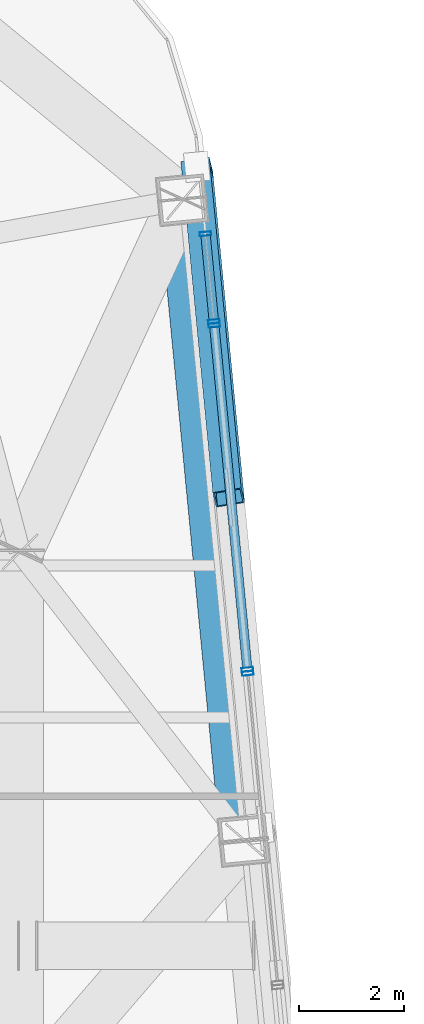
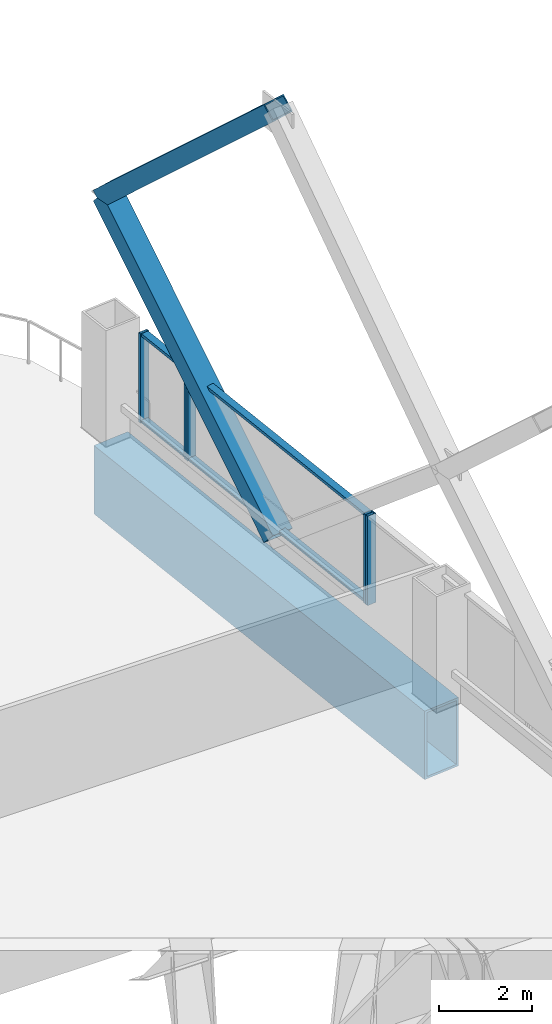
# One storey, part 30 of 42: 11 members, 1 beam, 3 elements without a shape of their own.
"""IFC4 building model written with IfcOpenShell, lengths in metres."""

import ifcopenshell
import ifcopenshell.guid

model = None  # the IFC model being written
_history = None  # IfcOwnerHistory: only IFC2X3 demands one
_inside = {}  # id of a spatial element -> (the spatial element, [elements in it])
_under = {}  # id of a project, library or spatial element -> (it, [spatial elements below it])
_declared = {}  # id of a project -> (the project, [libraries it declares])
_typed = {}  # id of a type object -> (the type object, [elements of that type])
_made_of = {}  # id of a material, layer set ... -> (it, [elements and type objects made of it])


def new_model(schema):
    """Start an empty IFC model of exactly this schema.

    Asked for "IFC4X3", IfcOpenShell would pick the latest addendum, in which some entities
    have other attributes; the version numbers below select the first issue.
    IFC2X3 requires an IfcOwnerHistory on every rooted entity: one is made here for all.
    """
    global model, _history
    if schema == "IFC4X3":
        model = ifcopenshell.file(schema_version=(4, 3, 0, 0))
    else:
        model = ifcopenshell.file(schema=schema)
    _inside.clear()
    _under.clear()
    _declared.clear()
    _typed.clear()
    _made_of.clear()
    _history = None
    if model.schema == "IFC2X3":
        org = make("IfcOrganization", Name="unknown")
        user = make(
            "IfcPersonAndOrganization",
            ThePerson=make("IfcPerson", FamilyName="unknown"),
            TheOrganization=org,
        )
        app = make(
            "IfcApplication",
            ApplicationDeveloper=org,
            Version="unknown",
            ApplicationFullName="unknown",
            ApplicationIdentifier="unknown",
        )
        _history = make(
            "IfcOwnerHistory",
            OwningUser=user,
            OwningApplication=app,
            ChangeAction="ADDED",
            CreationDate=0,
        )
    return model


def make(cls, **values):
    """One entity of the class cls with the attributes given. An attribute that is None is left unset."""
    return model.create_entity(
        cls, **{name: value for name, value in values.items() if value is not None}
    )


def rooted(cls, **values):
    """An entity with a GlobalId (a new one), such as an element, a storey or a relation."""
    return make(cls, GlobalId=ifcopenshell.guid.new(), OwnerHistory=_history, **values)


def si_unit(unit_type, name, prefix=None):
    """IfcSIUnit, for example si_unit("LENGTHUNIT", "METRE", prefix="MILLI")."""
    return make("IfcSIUnit", UnitType=unit_type, Prefix=prefix, Name=name)


def assignment(units):
    """IfcUnitAssignment: the units of a project."""
    return None if units is None else make("IfcUnitAssignment", Units=units)


def point(xyz):
    """IfcCartesianPoint."""
    return None if xyz is None else make("IfcCartesianPoint", Coordinates=xyz)


def direction(xyz):
    """IfcDirection."""
    return None if xyz is None else make("IfcDirection", DirectionRatios=xyz)


def frame(location, z_axis=None, x_axis=None):
    """IfcAxis2Placement3D, a coordinate frame: its origin and axes. An axis left out is left unset."""
    return make(
        "IfcAxis2Placement3D",
        Location=point(location),
        Axis=direction(z_axis),
        RefDirection=direction(x_axis),
    )


def frame_2d(location, x_axis=None):
    """IfcAxis2Placement2D, a coordinate frame in the plane: its origin and x axis."""
    return make(
        "IfcAxis2Placement2D", Location=point(location), RefDirection=direction(x_axis)
    )


def origin():
    """The frame at (0, 0, 0) with its axes left unset."""
    return frame((0.0, 0.0, 0.0))


def origin_2d():
    """The frame at (0, 0) in the plane with its x axis left unset."""
    return frame_2d((0.0, 0.0))


def place(relative_to, where):
    """IfcLocalPlacement: puts the frame where relative to a parent placement (None: the world)."""
    return make(
        "IfcLocalPlacement", PlacementRelTo=relative_to, RelativePlacement=where
    )


def context(
    kind, dimensions, precision=None, world=None, true_north=None, identifier=None
):
    """IfcGeometricRepresentationContext, for example the 3D "Model" context."""
    return make(
        "IfcGeometricRepresentationContext",
        ContextIdentifier=identifier,
        ContextType=kind,
        CoordinateSpaceDimension=dimensions,
        Precision=precision,
        WorldCoordinateSystem=world,
        TrueNorth=true_north,
    )


def subcontext(parent, identifier, kind, view, scale=None):
    """IfcGeometricRepresentationSubContext, for example "Body" below "Model"."""
    return make(
        "IfcGeometricRepresentationSubContext",
        ContextIdentifier=identifier,
        ContextType=kind,
        ParentContext=parent,
        TargetScale=scale,
        TargetView=view,
    )


def project(units=None, contexts=None):
    """IfcProject with its units and contexts."""
    return rooted(
        "IfcProject",
        Name="project",
        RepresentationContexts=contexts,
        UnitsInContext=assignment(units),
    )


def spatial(cls, under=None, at=None, **own):
    """A site, building, storey or space (cls), placed at a placement, below another one or the project."""
    s = rooted(cls, ObjectPlacement=at, **own)
    if under is not None:
        _under.setdefault(under.id(), (under, []))[1].append(s)
    return s


def profile(cls, at=None, kind="AREA", **sizes):
    """A parametric profile (cls). Its sizes go by their IFC names, for example OverallWidth=200.0."""
    return make(cls, ProfileType=kind, Position=at, **sizes)


def hollow_rectangle(**sizes):
    """IfcRectangleHollowProfileDef."""
    return profile("IfcRectangleHollowProfileDef", **sizes)


def extrude(swept, where, along, depth):
    """IfcExtrudedAreaSolid: the profile swept, set in the frame where, extruded along a direction by depth."""
    return make(
        "IfcExtrudedAreaSolid",
        SweptArea=swept,
        Position=where,
        ExtrudedDirection=direction(along),
        Depth=depth,
    )


def shape(context_of_items, identifier, shape_type, items):
    """IfcShapeRepresentation: the items that make up one representation, for example the "Body"."""
    return make(
        "IfcShapeRepresentation",
        ContextOfItems=context_of_items,
        RepresentationIdentifier=identifier,
        RepresentationType=shape_type,
        Items=items,
    )


def material(Name=None, Category=None):
    """IfcMaterial."""
    return make("IfcMaterial", Name=Name, Category=Category)


def layer(
    of_material, thickness, ventilated=None, Name=None, Category=None, Priority=None
):
    """IfcMaterialLayer: one layer of a wall or slab, of a material (None: an air gap)."""
    return make(
        "IfcMaterialLayer",
        Material=of_material,
        LayerThickness=thickness,
        IsVentilated=ventilated,
        Name=Name,
        Category=Category,
        Priority=Priority,
    )


def layer_set(layers, Name=None):
    """IfcMaterialLayerSet."""
    return make("IfcMaterialLayerSet", MaterialLayers=layers, LayerSetName=Name)


def material_profile(
    of_material, cross_section, Name=None, Category=None, Priority=None
):
    """IfcMaterialProfile: a cross section and its material."""
    return make(
        "IfcMaterialProfile",
        Name=Name,
        Material=of_material,
        Profile=cross_section,
        Priority=Priority,
        Category=Category,
    )


def profile_set(profiles, Name=None, composite=None):
    """IfcMaterialProfileSet."""
    return make(
        "IfcMaterialProfileSet",
        Name=Name,
        MaterialProfiles=profiles,
        CompositeProfile=composite,
    )


def made_of(thing, what):
    """Note that an element or type object is made of a material, layer set ...; save() writes the relation."""
    if what is not None:
        _made_of.setdefault(what.id(), (what, []))[1].append(thing)
    return thing


def type_object(cls, material=None, **own):
    """A type object (cls), such as IfcWallType, which elements share."""
    return made_of(rooted(cls, **own), material)


def element(
    cls,
    number,
    at=None,
    inside=None,
    cuts=None,
    type_object=None,
    material=None,
    context=None,
    identifier="Body",
    shape_type=None,
    held_by="IfcProductDefinitionShape",
    body=None,
    shapes=None,
    **own,
):
    """One element of the class cls, such as IfcWall. Its Tag is "e" and its number.

    at: its placement. inside: the storey or other place that contains it. cuts: it is an
    opening in that element (IfcRelVoidsElement). A single representation is given by context,
    identifier, shape_type and body (its items); several are given by shapes. held_by: the class
    of the entity that holds the representations. save() writes the other relations.
    """
    e = rooted(cls, Tag="e%d" % number, ObjectPlacement=at, **own)
    if body is not None:
        shapes = [shape(context, identifier, shape_type, body)]
    if shapes is not None:
        e.Representation = make(held_by, Representations=shapes)
    if inside is not None:
        _inside.setdefault(inside.id(), (inside, []))[1].append(e)
    if cuts is not None:
        rooted(
            "IfcRelVoidsElement", RelatingBuildingElement=cuts, RelatedOpeningElement=e
        )
    if type_object is not None:
        _typed.setdefault(type_object.id(), (type_object, []))[1].append(e)
    return made_of(e, material)


def aggregate(whole, parts):
    """IfcRelAggregates: a whole, such as a stair, and the parts it consists of."""
    return rooted("IfcRelAggregates", RelatingObject=whole, RelatedObjects=parts)


def save(model, path):
    """Write the relations noted so far, then the file.

    IfcRelAggregates (storeys below a building ...), IfcRelContainedInSpatialStructure (elements
    in a storey), IfcRelDefinesByType, IfcRelAssociatesMaterial and IfcRelDeclares: one each for
    every whole, place, type object, material and project.
    """
    for whole, parts in _under.values():
        aggregate(whole, parts)
    for where, things in _inside.values():
        rooted(
            "IfcRelContainedInSpatialStructure",
            RelatedElements=things,
            RelatingStructure=where,
        )
    for kind, things in _typed.values():
        rooted("IfcRelDefinesByType", RelatedObjects=things, RelatingType=kind)
    for what, things in _made_of.values():
        rooted("IfcRelAssociatesMaterial", RelatedObjects=things, RelatingMaterial=what)
    for by, libraries in _declared.values():
        rooted("IfcRelDeclares", RelatingContext=by, RelatedDefinitions=libraries)
    model.write(path)


model = new_model("IFC4")

# Units and contexts
model_context = context("Model", 3, precision=1e-05, world=origin(), true_north=direction((0.0, 1.0)))
body_context = subcontext(model_context, "Body", "Model", "MODEL_VIEW")
ifc_project = project(units=[si_unit("LENGTHUNIT", "METRE"), si_unit("AREAUNIT", "SQUARE_METRE"), si_unit("VOLUMEUNIT", "CUBIC_METRE"), si_unit("PLANEANGLEUNIT", "RADIAN"), si_unit("MASSUNIT", "GRAM", prefix="KILO")], contexts=[model_context])

# Site, building, storey
site_placement = place(None, origin())
site = spatial("IfcSite", under=ifc_project, at=site_placement, CompositionType="ELEMENT")
building_placement = place(site_placement, origin())
building = spatial("IfcBuilding", under=site, at=building_placement, Name="Qhalaya Broadcast Tower", CompositionType="ELEMENT")
storey_placement = place(building_placement, frame((0.0, 0.0, 69.449951171875)))
storey = spatial("IfcBuildingStorey", under=building, at=storey_placement, Name="L19", CompositionType="ELEMENT", Elevation=69.449951171875)

# Beam
ifc_material_1 = material(Name="Structural Steel ASTM A572 Grade 50", Category="steel")
ifc_material_profile_1 = material_profile(ifc_material_1, hollow_rectangle(XDim=0.89990234375, YDim=1.800048828125, WallThickness=0.06005859375, at=origin_2d()), Name="BOX 900x1800x60")
ifc_profile_set_1 = profile_set([ifc_material_profile_1], Name="Structural Steel ASTM A572 Grade 50")
beam_type = type_object("IfcBeamType", Name="Block Cantilever Transfer Box Girder TG1", PredefinedType="USERDEFINED", material=ifc_profile_set_1)
beam_placement = place(storey_placement, frame((26.941162109375, 11.955078125, -1.119873046875), z_axis=(-0.095851586307, 0.99539563662, 0.0), x_axis=(-0.99539563662, -0.095851586307, 0.0)))
element("IfcBeam", 1, at=beam_placement, inside=storey, type_object=beam_type, Name="L19 TG1 L19-SPR-07", ObjectType="GIRDER", PredefinedType="USERDEFINED", context=body_context, shape_type="SweptSolid", body=[
    extrude(hollow_rectangle(XDim=0.89990234375, YDim=1.800048828125, WallThickness=0.06005859375, at=origin_2d()), origin(), (0.0, 0.0, 1.0), 12.2666015625),
])

# Members
ifc_material_profile_2 = material_profile(ifc_material_1, hollow_rectangle(XDim=0.419921875, YDim=0.550048828125, WallThickness=0.028076171875, at=origin_2d()), Name="BOX 420x550x28")
ifc_profile_set_2 = profile_set([ifc_material_profile_2], Name="Structural Steel ASTM A572 Grade 50")
member_type_1 = type_object("IfcMemberType", Name="Exoskeleton Diamond Diagonal Mid-Low EX2", PredefinedType="BRACE", material=ifc_profile_set_2)
member_1_placement = place(storey_placement, frame((26.6533203125, 18.49072265625, 0.360107421875), z_axis=(-0.073037413912, 0.758637209183, 0.647406457345), x_axis=(0.157160868222, -0.632274975342, 0.758636155912)))
element("IfcMember", 2, at=member_1_placement, inside=storey, type_object=member_type_1, Name="B2 Exoskeleton Diamond Brace E3-D2", PredefinedType="BRACE", context=body_context, shape_type="SweptSolid", body=[
    extrude(hollow_rectangle(XDim=0.419921875, YDim=0.550048828125, WallThickness=0.028076171875, at=origin_2d()), origin(), (0.0, 0.0, 1.0), 8.309814453125),
])
member_2_placement = place(storey_placement, frame((26.04638671875, 24.794921875, 5.739990234375), z_axis=(0.070340028415, -0.730619555004, 0.679151931638), x_axis=(-0.160189075689, 0.663728866417, 0.730618540632)))
element("IfcMember", 3, at=member_2_placement, inside=storey, type_object=member_type_1, Name="B2 Exoskeleton Diamond Brace E3-D4", PredefinedType="BRACE", context=body_context, shape_type="SweptSolid", body=[
    extrude(hollow_rectangle(XDim=0.419921875, YDim=0.550048828125, WallThickness=0.028076171875, at=origin_2d()), origin(), (0.0, 0.0, 1.0), 8.628662109375),
])

# Curtain wall, member
ifc_material_2 = material(Name="Solar-Control Low-E Triple Glazing", Category="glass")
ifc_layer_1 = layer(ifc_material_2, 0.219970703125, Name="Solar-Control Low-E Triple Glazing")
ifc_layer_set_1 = layer_set([ifc_layer_1], Name="Solar-Control Low-E Triple Glazing")
curtain_wall_type_1 = type_object("IfcCurtainWallType", Name="Even-Block 4-Storey Double-Module Curtain Wall CW-03", PredefinedType="NOTDEFINED", material=ifc_layer_set_1)
curtain_wall_1_placement = place(storey_placement, origin())
curtain_wall_1 = element("IfcCurtainWall", 4, at=curtain_wall_1_placement, inside=storey, type_object=curtain_wall_type_1, Name="L19 Unitised Curtain Wall L19-CW-E5", PredefinedType="NOTDEFINED")
ifc_material_3 = material(Name="Anodised Aluminium 6063-T6", Category="aluminium")
ifc_material_profile_3 = material_profile(ifc_material_3, hollow_rectangle(XDim=0.074951171875, YDim=0.219970703125, WallThickness=0.00390625, at=origin_2d()), Name="ALU-MUL 75x220x4")
ifc_profile_set_3 = profile_set([ifc_material_profile_3], Name="Anodised Aluminium 6063-T6")
member_type_2 = type_object("IfcMemberType", Name="Unitised Curtain-Wall Mullion M01", PredefinedType="MULLION", material=ifc_profile_set_3)
member_3_placement = place(storey_placement, frame((27.01611328125, 15.140869140625, 0.47998046875), z_axis=(0.0, 0.0, 1.0), x_axis=(-0.095835542837, 0.995397181395, 0.0)))
member_3 = element("IfcMember", 5, at=member_3_placement, type_object=member_type_2, Name="CW-03 mullion 2", PredefinedType="MULLION", context=body_context, shape_type="SweptSolid", body=[
    extrude(hollow_rectangle(XDim=0.074951171875, YDim=0.219970703125, WallThickness=0.00390625, at=origin_2d()), origin(), (0.0, 0.0, 1.0), 2.35009765625),
])
aggregate(curtain_wall_1, [member_3])

# Curtain wall, members
ifc_material_4 = material(Name="Fired Architectural Terracotta", Category="masonry")
ifc_layer_2 = layer(ifc_material_4, 0.219970703125, Name="Fired Architectural Terracotta")
ifc_layer_set_2 = layer_set([ifc_layer_2], Name="Fired Architectural Terracotta")
curtain_wall_type_2 = type_object("IfcCurtainWallType", Name="Block-Cap Unitised Terracotta Spandrel Wall CW-07", PredefinedType="NOTDEFINED", material=ifc_layer_set_2)
curtain_wall_2_placement = place(storey_placement, origin())
curtain_wall_2 = element("IfcCurtainWall", 6, at=curtain_wall_2_placement, inside=storey, type_object=curtain_wall_type_2, Name="L19 Unitised Curtain Wall L19-CW-E6", PredefinedType="NOTDEFINED")
member_4_placement = place(storey_placement, frame((27.009033203125, 15.215576171875, 0.47998046875), z_axis=(0.0, 0.0, 1.0), x_axis=(-0.095857967914, 0.995395022083, 0.0)))
member_4 = element("IfcMember", 7, at=member_4_placement, type_object=member_type_2, Name="CW-07 mullion 1", PredefinedType="MULLION", context=body_context, shape_type="SweptSolid", body=[
    extrude(hollow_rectangle(XDim=0.074951171875, YDim=0.219970703125, WallThickness=0.00390625, at=origin_2d()), origin(), (0.0, 0.0, 1.0), 2.35009765625),
])
member_5_placement = place(storey_placement, frame((26.37744140625, 21.773193359375, 0.47998046875), z_axis=(0.0, 0.0, 1.0), x_axis=(-0.095857967914, 0.995395022083, 0.0)))
member_5 = element("IfcMember", 8, at=member_5_placement, type_object=member_type_2, Name="CW-07 mullion 2", PredefinedType="MULLION", context=body_context, shape_type="SweptSolid", body=[
    extrude(hollow_rectangle(XDim=0.074951171875, YDim=0.219970703125, WallThickness=0.00390625, at=origin_2d()), origin(), (0.0, 0.0, 1.0), 2.35009765625),
])

curtain_wall_3_placement = place(storey_placement, origin())
curtain_wall_3 = element("IfcCurtainWall", 9, at=curtain_wall_3_placement, inside=storey, type_object=curtain_wall_type_1, Name="L19 Unitised Curtain Wall L19-CW-E7", PredefinedType="NOTDEFINED")
member_6_placement = place(storey_placement, frame((26.370361328125, 21.847900390625, 0.47998046875), z_axis=(0.0, 0.0, 1.0), x_axis=(-0.095829861583, 0.995397728362, 0.0)))
member_6 = element("IfcMember", 10, at=member_6_placement, type_object=member_type_2, Name="CW-03 mullion 1", PredefinedType="MULLION", context=body_context, shape_type="SweptSolid", body=[
    extrude(hollow_rectangle(XDim=0.074951171875, YDim=0.219970703125, WallThickness=0.00390625, at=origin_2d()), origin(), (0.0, 0.0, 1.0), 2.35009765625),
])
member_7_placement = place(storey_placement, frame((26.20947265625, 23.517333984375, 0.47998046875), z_axis=(0.0, 0.0, 1.0), x_axis=(-0.095829861583, 0.995397728362, 0.0)))
member_7 = element("IfcMember", 11, at=member_7_placement, type_object=member_type_2, Name="CW-03 mullion 2", PredefinedType="MULLION", context=body_context, shape_type="SweptSolid", body=[
    extrude(hollow_rectangle(XDim=0.074951171875, YDim=0.219970703125, WallThickness=0.00390625, at=origin_2d()), origin(), (0.0, 0.0, 1.0), 2.35009765625),
])

# Member
ifc_material_profile_4 = material_profile(ifc_material_3, hollow_rectangle(XDim=0.074951171875, YDim=0.179931640625, WallThickness=0.00390625, at=origin_2d()), Name="ALU-TRN 75x180x4")
ifc_profile_set_4 = profile_set([ifc_material_profile_4], Name="Anodised Aluminium 6063-T6")
member_type_3 = type_object("IfcMemberType", Name="Unitised Curtain-Wall Transom T01", PredefinedType="USERDEFINED", material=ifc_profile_set_4)
member_8_placement = place(storey_placement, frame((27.00537109375, 15.2529296875, 0.517578125), z_axis=(-0.09585097512, 0.995395695474, 0.0), x_axis=(0.0, 0.0, 1.0)))
member_8 = element("IfcMember", 12, at=member_8_placement, type_object=member_type_3, Name="CW-07 transom 1.1", ObjectType="TRANSOM", PredefinedType="USERDEFINED", context=body_context, shape_type="SweptSolid", body=[
    extrude(hollow_rectangle(XDim=0.074951171875, YDim=0.179931640625, WallThickness=0.00390625, at=origin_2d()), origin(), (0.0, 0.0, 1.0), 6.512939453125),
])

member_9_placement = place(storey_placement, frame((27.00537109375, 15.2529296875, 2.79248046875), z_axis=(-0.09585097512, 0.995395695474, 0.0), x_axis=(0.0, 0.0, 1.0)))
member_9 = element("IfcMember", 13, at=member_9_placement, type_object=member_type_3, Name="CW-07 transom 1.2", ObjectType="TRANSOM", PredefinedType="USERDEFINED", context=body_context, shape_type="SweptSolid", body=[
    extrude(hollow_rectangle(XDim=0.074951171875, YDim=0.179931640625, WallThickness=0.00390625, at=origin_2d()), origin(), (0.0, 0.0, 1.0), 6.512939453125),
])

aggregate(curtain_wall_2, [member_4, member_5, member_8, member_9])

member_10_placement = place(storey_placement, frame((26.36669921875, 21.88525390625, 0.517578125), z_axis=(-0.09585178254, 0.995395617724, 0.0), x_axis=(0.0, 0.0, 1.0)))
member_10 = element("IfcMember", 14, at=member_10_placement, type_object=member_type_3, Name="CW-03 transom 1.1", ObjectType="TRANSOM", PredefinedType="USERDEFINED", context=body_context, shape_type="SweptSolid", body=[
    extrude(hollow_rectangle(XDim=0.074951171875, YDim=0.179931640625, WallThickness=0.00390625, at=origin_2d()), origin(), (0.0, 0.0, 1.0), 1.60205078125),
])

member_11_placement = place(storey_placement, frame((26.36669921875, 21.88525390625, 2.79248046875), z_axis=(-0.09585178254, 0.995395617724, 0.0), x_axis=(0.0, 0.0, 1.0)))
member_11 = element("IfcMember", 15, at=member_11_placement, type_object=member_type_3, Name="CW-03 transom 1.2", ObjectType="TRANSOM", PredefinedType="USERDEFINED", context=body_context, shape_type="SweptSolid", body=[
    extrude(hollow_rectangle(XDim=0.074951171875, YDim=0.179931640625, WallThickness=0.00390625, at=origin_2d()), origin(), (0.0, 0.0, 1.0), 1.60205078125),
])

aggregate(curtain_wall_3, [member_6, member_7, member_10, member_11])

save(model, "model.ifc")
